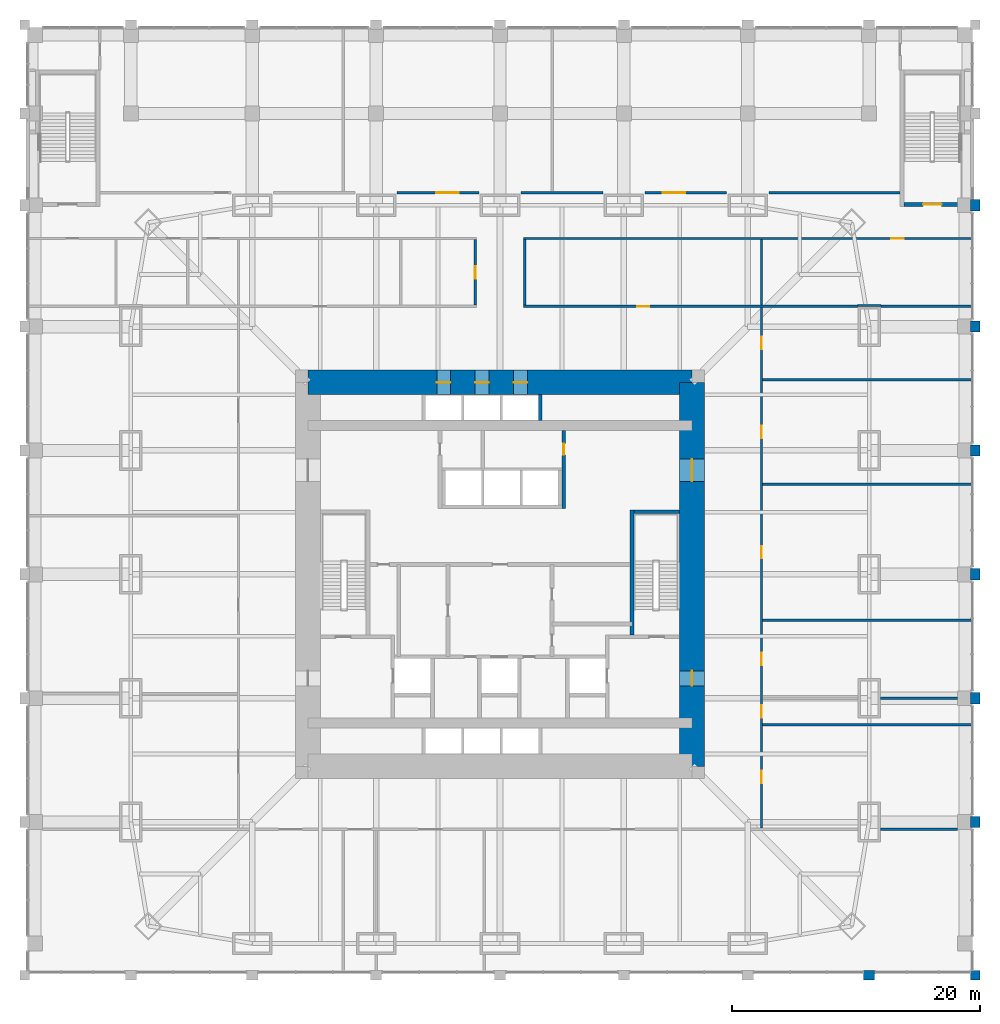
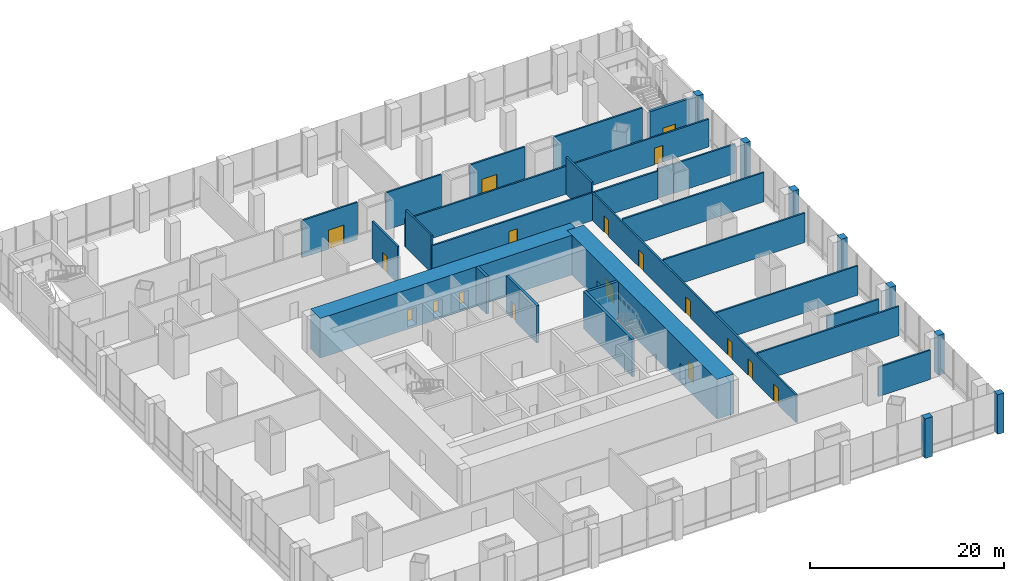
# One storey, part 19 of 24: 33 walls, 18 doors, 18 openings.
"""IFC4 building model written with IfcOpenShell, lengths in metres."""

from ifc_helpers import new_model, si_unit, direction, frame, frame_2d, origin, place, context, subcontext, project, spatial, rectangle, extrude, material, layer, layer_set, type_object, element, fill, save


model = new_model("IFC4")

# Units and contexts
model_context = context("Model", 3, precision=1e-05, world=origin(), true_north=direction((0.0, 1.0)))
body_context = subcontext(model_context, "Body", "Model", "MODEL_VIEW")
ifc_project = project(units=[si_unit("LENGTHUNIT", "METRE"), si_unit("AREAUNIT", "SQUARE_METRE"), si_unit("VOLUMEUNIT", "CUBIC_METRE"), si_unit("PLANEANGLEUNIT", "RADIAN"), si_unit("MASSUNIT", "GRAM", prefix="KILO")], contexts=[model_context])

# Site, building, storey
site_placement = place(None, origin())
site = spatial("IfcSite", under=ifc_project, at=site_placement, CompositionType="ELEMENT")
building_placement = place(site_placement, origin())
building = spatial("IfcBuilding", under=site, at=building_placement, Name="Khuree Lantern Residences", CompositionType="ELEMENT")
storey_placement = place(building_placement, frame((0.0, 0.0, 6.0)))
storey = spatial("IfcBuildingStorey", under=building, at=storey_placement, Name="L01", CompositionType="ELEMENT", Elevation=6.0)

# Wall
ifc_material_1 = material(Name="Dense concrete blockwork", Category="masonry")
ifc_layer_1 = layer(ifc_material_1, 0.300048828125)
ifc_layer_set_1 = layer_set([ifc_layer_1], Name="CORE PARTITION WALL CPW300 EI 120")
wall_type_1 = type_object("IfcWallType", Name="CORE PARTITION WALL CPW300 EI 120", PredefinedType="PARTITIONING", material=ifc_layer_set_1)
wall_1_placement = place(storey_placement, frame((3.25, 12.39990234375, 0.0), z_axis=(0.0, 0.0, 1.0), x_axis=(0.0, 1.0, 0.0)))
element("IfcWall", 1, at=wall_1_placement, inside=storey, type_object=wall_type_1, Name="L01 CORE WALL PLE", PredefinedType="PARTITIONING", context=body_context, shape_type="SweptSolid", body=[
    extrude(rectangle(XDim=2.10009765625, YDim=0.300048828125, at=frame_2d((1.050048828125, 0.0))), origin(), (0.0, 0.0, 1.0), 4.699951171875),
])

# Wall, opening, door
wall_2_placement = place(storey_placement, frame((5.14990234375, 5.300048828125, 0.0), z_axis=(0.0, 0.0, 1.0), x_axis=(0.0, 1.0, 0.0)))
wall_2 = element("IfcWall", 2, at=wall_2_placement, inside=storey, type_object=wall_type_1, Name="L01 CORE WALL NE", PredefinedType="PARTITIONING", context=body_context, shape_type="SweptSolid", body=[
    extrude(rectangle(XDim=6.300048828125, YDim=0.300048828125, at=frame_2d((3.14990234375, 0.0))), origin(), (0.0, 0.0, 1.0), 4.699951171875),
])
opening_1_placement = place(wall_2_placement, frame((4.35009765625, 0.0, 0.0)))
opening_1 = element("IfcOpeningElement", 3, at=opening_1_placement, cuts=wall_2, Name="Opening 01-021", PredefinedType="OPENING", context=body_context, shape_type="SweptSolid", body=[
    extrude(rectangle(XDim=0.89990234375, YDim=2.10009765625, at=frame_2d((0.449951171875, 1.050048828125))), frame((0.0, 0.16015625, 0.0), z_axis=(0.0, -1.0, 0.0), x_axis=(1.0, 0.0, 0.0)), (0.0, 0.0, 1.0), 0.320068359375),
])
ifc_material_2 = material(Name="Timber door leaf in hardwood frame", Category="wood")
door_type_1 = type_object("IfcDoorType", Name="DOOR 900X2100", OperationType="SINGLE_SWING_LEFT", PredefinedType="DOOR", material=ifc_material_2)
door_1_placement = place(opening_1_placement, origin())
door_1 = element("IfcDoor", 4, at=door_1_placement, inside=storey, type_object=door_type_1, Name="Maintenance store door 01-021", OperationType="SINGLE_SWING_LEFT", OverallHeight=2.10009765625, OverallWidth=0.89990234375, PredefinedType="DOOR", context=body_context, shape_type="SweptSolid", body=[
    extrude(rectangle(XDim=0.89990234375, YDim=2.10009765625, at=frame_2d((0.449951171875, 1.050048828125))), frame((0.0, 0.02490234375, 0.0), z_axis=(0.0, -1.0, 0.0), x_axis=(1.0, 0.0, 0.0)), (0.0, 0.0, 1.0), 0.050048828125),
])
fill(opening_1, door_1)

# Wall, openings, doors
ifc_material_3 = material(Name="Concrete C70/85", Category="concrete")
ifc_layer_2 = layer(ifc_material_3, 2.0)
ifc_layer_set_2 = layer_set([ifc_layer_2], Name="CW2000-C70 CORE WALL C70 2000")
wall_type_2 = type_object("IfcWallType", Name="CW2000-C70 CORE WALL C70 2000", PredefinedType="SHEAR", material=ifc_layer_set_2)
wall_3_placement = place(storey_placement, frame((15.5, -15.5, -0.300048828125), z_axis=(0.0, 0.0, 1.0), x_axis=(0.0, 1.0, 0.0)))
wall_3 = element("IfcWall", 5, at=wall_3_placement, inside=storey, type_object=wall_type_2, Name="Core wall E", PredefinedType="SHEAR", context=body_context, shape_type="SweptSolid", body=[
    extrude(rectangle(XDim=31.0, YDim=2.0, at=frame_2d((15.5, 0.0))), origin(), (0.0, 0.0, 1.0), 5.0),
])
opening_2_placement = place(wall_3_placement, frame((6.5, 0.0, 0.300048828125)))
opening_2 = element("IfcOpeningElement", 6, at=opening_2_placement, cuts=wall_3, Name="Opening 01-005", PredefinedType="OPENING", context=body_context, shape_type="SweptSolid", body=[
    extrude(rectangle(XDim=1.199951171875, YDim=2.10009765625, at=frame_2d((0.60009765625, 1.050048828125))), frame((0.0, 1.010009765625, 0.0), z_axis=(0.0, -1.0, 0.0), x_axis=(1.0, 0.0, 0.0)), (0.0, 0.0, 1.0), 2.02001953125),
])
opening_3_placement = place(wall_3_placement, frame((23.0, 0.0, 0.300048828125)))
opening_3 = element("IfcOpeningElement", 7, at=opening_3_placement, cuts=wall_3, Name="Opening 01-006", PredefinedType="OPENING", context=body_context, shape_type="SweptSolid", body=[
    extrude(rectangle(XDim=1.800048828125, YDim=2.10009765625, at=frame_2d((0.89990234375, 1.050048828125))), frame((0.0, 1.010009765625, 0.0), z_axis=(0.0, -1.0, 0.0), x_axis=(1.0, 0.0, 0.0)), (0.0, 0.0, 1.0), 2.02001953125),
])
ifc_material_4 = material(Name="Steel door leaf in steel frame", Category="steel")
door_type_2 = type_object("IfcDoorType", Name="LOBBY DOOR 1200X2100 EI 120", OperationType="SINGLE_SWING_LEFT", PredefinedType="DOOR", material=ifc_material_4)
door_2_placement = place(opening_2_placement, origin())
door_2 = element("IfcDoor", 8, at=door_2_placement, inside=storey, type_object=door_type_2, Name="Firefighting lobby door 01-005", OperationType="SINGLE_SWING_LEFT", OverallHeight=2.10009765625, OverallWidth=1.199951171875, PredefinedType="DOOR", context=body_context, shape_type="SweptSolid", body=[
    extrude(rectangle(XDim=1.199951171875, YDim=2.10009765625, at=frame_2d((0.60009765625, 1.050048828125))), frame((0.0, 0.02490234375, 0.0), z_axis=(0.0, -1.0, 0.0), x_axis=(1.0, 0.0, 0.0)), (0.0, 0.0, 1.0), 0.050048828125),
])
fill(opening_2, door_2)
door_type_3 = type_object("IfcDoorType", Name="LOBBY DOUBLE DOOR 1800X2100 EI 60", OperationType="DOUBLE_DOOR_SINGLE_SWING", PredefinedType="DOOR", material=ifc_material_4)
door_3_placement = place(opening_3_placement, origin())
door_3 = element("IfcDoor", 9, at=door_3_placement, inside=storey, type_object=door_type_3, Name="Lift lobby door 01-006", OperationType="DOUBLE_DOOR_SINGLE_SWING", OverallHeight=2.10009765625, OverallWidth=1.800048828125, PredefinedType="DOOR", context=body_context, shape_type="SweptSolid", body=[
    extrude(rectangle(XDim=1.800048828125, YDim=2.10009765625, at=frame_2d((0.89990234375, 1.050048828125))), frame((0.0, 0.02490234375, 0.0), z_axis=(0.0, -1.0, 0.0), x_axis=(1.0, 0.0, 0.0)), (0.0, 0.0, 1.0), 0.050048828125),
])
fill(opening_3, door_3)

wall_4_placement = place(storey_placement, frame((-15.5, 15.5, -0.300048828125), z_axis=(0.0, 0.0, 1.0), x_axis=(1.0, 0.0, 0.0)))
wall_4 = element("IfcWall", 10, at=wall_4_placement, inside=storey, type_object=wall_type_2, Name="Core wall N", PredefinedType="SHEAR", context=body_context, shape_type="SweptSolid", body=[
    extrude(rectangle(XDim=31.0, YDim=2.0, at=frame_2d((15.5, 0.0))), origin(), (0.0, 0.0, 1.0), 5.0),
])
opening_4_placement = place(wall_4_placement, frame((10.39990234375, 0.0, 0.300048828125)))
opening_4 = element("IfcOpeningElement", 11, at=opening_4_placement, cuts=wall_4, Name="Opening 01-009", PredefinedType="OPENING", context=body_context, shape_type="SweptSolid", body=[
    extrude(rectangle(XDim=1.10009765625, YDim=2.10009765625, at=frame_2d((0.550048828125, 1.050048828125))), frame((0.0, 1.010009765625, 0.0), z_axis=(0.0, -1.0, 0.0), x_axis=(1.0, 0.0, 0.0)), (0.0, 0.0, 1.0), 2.02001953125),
])
opening_5_placement = place(wall_4_placement, frame((13.5, 0.0, 0.300048828125)))
opening_5 = element("IfcOpeningElement", 12, at=opening_5_placement, cuts=wall_4, Name="Opening 01-010", PredefinedType="OPENING", context=body_context, shape_type="SweptSolid", body=[
    extrude(rectangle(XDim=1.10009765625, YDim=2.10009765625, at=frame_2d((0.550048828125, 1.050048828125))), frame((0.0, 1.010009765625, 0.0), z_axis=(0.0, -1.0, 0.0), x_axis=(1.0, 0.0, 0.0)), (0.0, 0.0, 1.0), 2.02001953125),
])
opening_6_placement = place(wall_4_placement, frame((16.60009765625, 0.0, 0.300048828125)))
opening_6 = element("IfcOpeningElement", 13, at=opening_6_placement, cuts=wall_4, Name="Opening 01-011", PredefinedType="OPENING", context=body_context, shape_type="SweptSolid", body=[
    extrude(rectangle(XDim=1.10009765625, YDim=2.10009765625, at=frame_2d((0.550048828125, 1.050048828125))), frame((0.0, 1.010009765625, 0.0), z_axis=(0.0, -1.0, 0.0), x_axis=(1.0, 0.0, 0.0)), (0.0, 0.0, 1.0), 2.02001953125),
])
ifc_material_5 = material(Name="Stainless steel lift landing door", Category="steel")
door_type_4 = type_object("IfcDoorType", Name="LIFT LANDING DOOR 1100X2100 E 60", OperationType="DOUBLE_DOOR_SLIDING", PredefinedType="DOOR", material=ifc_material_5)
door_4_placement = place(opening_4_placement, origin())
door_4 = element("IfcDoor", 14, at=door_4_placement, inside=storey, type_object=door_type_4, Name="Landing door PL1 01-009", OperationType="DOUBLE_DOOR_SLIDING", OverallHeight=2.10009765625, OverallWidth=1.10009765625, PredefinedType="DOOR", context=body_context, shape_type="SweptSolid", body=[
    extrude(rectangle(XDim=1.10009765625, YDim=2.10009765625, at=frame_2d((0.550048828125, 1.050048828125))), frame((0.0, 0.02490234375, 0.0), z_axis=(0.0, -1.0, 0.0), x_axis=(1.0, 0.0, 0.0)), (0.0, 0.0, 1.0), 0.050048828125),
])
fill(opening_4, door_4)
door_5_placement = place(opening_5_placement, origin())
door_5 = element("IfcDoor", 15, at=door_5_placement, inside=storey, type_object=door_type_4, Name="Landing door PL2 01-010", OperationType="DOUBLE_DOOR_SLIDING", OverallHeight=2.10009765625, OverallWidth=1.10009765625, PredefinedType="DOOR", context=body_context, shape_type="SweptSolid", body=[
    extrude(rectangle(XDim=1.10009765625, YDim=2.10009765625, at=frame_2d((0.550048828125, 1.050048828125))), frame((0.0, 0.02490234375, 0.0), z_axis=(0.0, -1.0, 0.0), x_axis=(1.0, 0.0, 0.0)), (0.0, 0.0, 1.0), 0.050048828125),
])
fill(opening_5, door_5)
door_6_placement = place(opening_6_placement, origin())
door_6 = element("IfcDoor", 16, at=door_6_placement, inside=storey, type_object=door_type_4, Name="Landing door PL3 01-011", OperationType="DOUBLE_DOOR_SLIDING", OverallHeight=2.10009765625, OverallWidth=1.10009765625, PredefinedType="DOOR", context=body_context, shape_type="SweptSolid", body=[
    extrude(rectangle(XDim=1.10009765625, YDim=2.10009765625, at=frame_2d((0.550048828125, 1.050048828125))), frame((0.0, 0.02490234375, 0.0), z_axis=(0.0, -1.0, 0.0), x_axis=(1.0, 0.0, 0.0)), (0.0, 0.0, 1.0), 0.050048828125),
])
fill(opening_6, door_6)

# Walls
ifc_material_6 = material(Name="Flamed granite cladding on blockwork", Category="masonry")
ifc_layer_3 = layer(ifc_material_6, 0.75)
ifc_layer_set_3 = layer_set([ifc_layer_3], Name="PODIUM PIER PR1 900X750")
wall_type_3 = type_object("IfcWallType", Name="PODIUM PIER PR1 900X750", PredefinedType="SOLIDWALL", material=ifc_layer_set_3)
wall_5_placement = place(storey_placement, frame((29.35009765625, -32.375, 0.0), z_axis=(0.0, 0.0, 1.0), x_axis=(1.0, 0.0, 0.0)))
element("IfcWall", 17, at=wall_5_placement, inside=storey, type_object=wall_type_3, Name="L01 SOUTH FACE PIER 7", PredefinedType="SOLIDWALL", context=body_context, shape_type="SweptSolid", body=[
    extrude(rectangle(XDim=0.89990234375, YDim=0.75, at=frame_2d((0.449951171875, 0.0))), origin(), (0.0, 0.0, 1.0), 5.0),
])
wall_6_placement = place(storey_placement, frame((38.0, -32.375, 0.0), z_axis=(0.0, 0.0, 1.0), x_axis=(1.0, 0.0, 0.0)))
element("IfcWall", 18, at=wall_6_placement, inside=storey, type_object=wall_type_3, Name="L01 SOUTH FACE PIER 8", PredefinedType="SOLIDWALL", context=body_context, shape_type="SweptSolid", body=[
    extrude(rectangle(XDim=0.75, YDim=0.75, at=frame_2d((0.375, 0.0))), origin(), (0.0, 0.0, 1.0), 5.0),
])
for number, where, z_axis, x_axis, name in (
    (19, (38.375, -20.449951171875, 0.0), (0.0, 0.0, 1.0), (0.0, 1.0, 0.0), "L01 EAST FACE PIER 1"),
    (20, (38.375, -10.449951171875, 0.0), (0.0, 0.0, 1.0), (0.0, 1.0, 0.0), "L01 EAST FACE PIER 2"),
    (21, (38.375, -0.449951171875, 0.0), (0.0, 0.0, 1.0), (0.0, 1.0, 0.0), "L01 EAST FACE PIER 3"),
    (22, (38.375, 9.550048828125, 0.0), (0.0, 0.0, 1.0), (0.0, 1.0, 0.0), "L01 EAST FACE PIER 4"),
    (23, (38.375, 19.550048828125, 0.0), (0.0, 0.0, 1.0), (0.0, 1.0, 0.0), "L01 EAST FACE PIER 5"),
    (24, (38.375, 29.35009765625, 0.0), (0.0, 0.0, 1.0), (0.0, 1.0, 0.0), "L01 EAST FACE PIER 6"),
):
    element("IfcWall", number, at=place(storey_placement, frame(where, z_axis=z_axis, x_axis=x_axis)), inside=storey, type_object=wall_type_3, Name=name, PredefinedType="SOLIDWALL", context=body_context, shape_type="SweptSolid", body=[
        extrude(rectangle(XDim=0.89990234375, YDim=0.75, at=frame_2d((0.449951171875, 0.0))), origin(), (0.0, 0.0, 1.0), 5.0),
    ])
ifc_layer_4 = layer(ifc_material_1, 0.199951171875)
ifc_layer_set_4 = layer_set([ifc_layer_4], Name="ROOM WALL RMW200")
wall_type_4 = type_object("IfcWallType", Name="ROOM WALL RMW200", PredefinedType="SOLIDWALL", material=ifc_layer_set_4)
wall_7_placement = place(storey_placement, frame((30.72998046875, -20.591064453125, 0.0), z_axis=(0.0, 0.0, 1.0), x_axis=(1.0, 0.0, 0.0)))
element("IfcWall", 25, at=wall_7_placement, inside=storey, type_object=wall_type_4, Name="L01 ROOM WALL 8", PredefinedType="SOLIDWALL", context=body_context, shape_type="SweptSolid", body=[
    extrude(rectangle(XDim=6.18994140625, YDim=0.199951171875, at=frame_2d((3.094970703125, 0.0))), origin(), (0.0, 0.0, 1.0), 3.699951171875),
])

# Wall, openings, doors
wall_8_placement = place(storey_placement, frame((21.111083984375, -20.490966796875, 0.0), z_axis=(0.0, 0.0, 1.0), x_axis=(0.0, 1.0, 0.0)))
wall_8 = element("IfcWall", 26, at=wall_8_placement, inside=storey, type_object=wall_type_4, Name="L01 ROOM WALL 10", PredefinedType="SOLIDWALL", context=body_context, shape_type="SweptSolid", body=[
    extrude(rectangle(XDim=42.02197265625, YDim=0.199951171875, at=frame_2d((21.010986328125, 0.0))), origin(), (0.0, 0.0, 1.0), 3.5),
])
opening_7_placement = place(wall_8_placement, frame((3.62255859375, 0.0, 0.0)))
opening_7 = element("IfcOpeningElement", 27, at=opening_7_placement, cuts=wall_8, Name="Opening 01-030", PredefinedType="OPENING", context=body_context, shape_type="SweptSolid", body=[
    extrude(rectangle(XDim=1.0, YDim=2.10009765625, at=frame_2d((0.5, 1.050048828125))), frame((0.0, 0.10986328125, 0.0), z_axis=(0.0, -1.0, 0.0), x_axis=(1.0, 0.0, 0.0)), (0.0, 0.0, 1.0), 0.219970703125),
])
opening_8_placement = place(wall_8_placement, frame((13.139892578125, 0.0, 0.0)))
opening_8 = element("IfcOpeningElement", 28, at=opening_8_placement, cuts=wall_8, Name="Opening 01-031", PredefinedType="OPENING", context=body_context, shape_type="SweptSolid", body=[
    extrude(rectangle(XDim=1.0, YDim=2.10009765625, at=frame_2d((0.5, 1.050048828125))), frame((0.0, 0.10986328125, 0.0), z_axis=(0.0, -1.0, 0.0), x_axis=(1.0, 0.0, 0.0)), (0.0, 0.0, 1.0), 0.219970703125),
])
opening_9_placement = place(wall_8_placement, frame((21.7685546875, 0.0, 0.0)))
opening_9 = element("IfcOpeningElement", 29, at=opening_9_placement, cuts=wall_8, Name="Opening 01-032", PredefinedType="OPENING", context=body_context, shape_type="SweptSolid", body=[
    extrude(rectangle(XDim=1.0, YDim=2.10009765625, at=frame_2d((0.5, 1.050048828125))), frame((0.0, 0.10986328125, 0.0), z_axis=(0.0, -1.0, 0.0), x_axis=(1.0, 0.0, 0.0)), (0.0, 0.0, 1.0), 0.219970703125),
])
opening_10_placement = place(wall_8_placement, frame((31.470458984375, 0.0, 0.0)))
opening_10 = element("IfcOpeningElement", 30, at=opening_10_placement, cuts=wall_8, Name="Opening 01-033", PredefinedType="OPENING", context=body_context, shape_type="SweptSolid", body=[
    extrude(rectangle(XDim=1.0, YDim=2.10009765625, at=frame_2d((0.5, 1.050048828125))), frame((0.0, 0.10986328125, 0.0), z_axis=(0.0, -1.0, 0.0), x_axis=(1.0, 0.0, 0.0)), (0.0, 0.0, 1.0), 0.219970703125),
])
opening_11_placement = place(wall_8_placement, frame((38.657470703125, 0.0, 0.0)))
opening_11 = element("IfcOpeningElement", 31, at=opening_11_placement, cuts=wall_8, Name="Opening 01-034", PredefinedType="OPENING", context=body_context, shape_type="SweptSolid", body=[
    extrude(rectangle(XDim=1.0, YDim=2.10009765625, at=frame_2d((0.5, 1.050048828125))), frame((0.0, 0.10986328125, 0.0), z_axis=(0.0, -1.0, 0.0), x_axis=(1.0, 0.0, 0.0)), (0.0, 0.0, 1.0), 0.219970703125),
])
opening_12_placement = place(wall_8_placement, frame((8.91796875, 0.0, 0.0)))
opening_12 = element("IfcOpeningElement", 32, at=opening_12_placement, cuts=wall_8, Name="Opening 01-048", PredefinedType="OPENING", context=body_context, shape_type="SweptSolid", body=[
    extrude(rectangle(XDim=1.0, YDim=2.10009765625, at=frame_2d((0.5, 1.050048828125))), frame((0.0, 0.10986328125, 0.0), z_axis=(0.0, -1.0, 0.0), x_axis=(1.0, 0.0, 0.0)), (0.0, 0.0, 1.0), 0.219970703125),
])
door_type_5 = type_object("IfcDoorType", Name="DOOR 1000X2100", OperationType="SINGLE_SWING_LEFT", PredefinedType="DOOR", material=ifc_material_2)
door_7_placement = place(opening_7_placement, origin())
door_7 = element("IfcDoor", 33, at=door_7_placement, inside=storey, type_object=door_type_5, Name="Parcel room door 01-030", OperationType="SINGLE_SWING_LEFT", OverallHeight=2.10009765625, OverallWidth=1.0, PredefinedType="DOOR", context=body_context, shape_type="SweptSolid", body=[
    extrude(rectangle(XDim=1.0, YDim=2.10009765625, at=frame_2d((0.5, 1.050048828125))), frame((0.0, 0.02490234375, 0.0), z_axis=(0.0, -1.0, 0.0), x_axis=(1.0, 0.0, 0.0)), (0.0, 0.0, 1.0), 0.050048828125),
])
fill(opening_7, door_7)
door_8_placement = place(opening_8_placement, origin())
door_8 = element("IfcDoor", 34, at=door_8_placement, inside=storey, type_object=door_type_5, Name="Leasing office door 01-031", OperationType="SINGLE_SWING_LEFT", OverallHeight=2.10009765625, OverallWidth=1.0, PredefinedType="DOOR", context=body_context, shape_type="SweptSolid", body=[
    extrude(rectangle(XDim=1.0, YDim=2.10009765625, at=frame_2d((0.5, 1.050048828125))), frame((0.0, 0.02490234375, 0.0), z_axis=(0.0, -1.0, 0.0), x_axis=(1.0, 0.0, 0.0)), (0.0, 0.0, 1.0), 0.050048828125),
])
fill(opening_8, door_8)
door_9_placement = place(opening_9_placement, origin())
door_9 = element("IfcDoor", 35, at=door_9_placement, inside=storey, type_object=door_type_5, Name="Study room door 01-032", OperationType="SINGLE_SWING_LEFT", OverallHeight=2.10009765625, OverallWidth=1.0, PredefinedType="DOOR", context=body_context, shape_type="SweptSolid", body=[
    extrude(rectangle(XDim=1.0, YDim=2.10009765625, at=frame_2d((0.5, 1.050048828125))), frame((0.0, 0.02490234375, 0.0), z_axis=(0.0, -1.0, 0.0), x_axis=(1.0, 0.0, 0.0)), (0.0, 0.0, 1.0), 0.050048828125),
])
fill(opening_9, door_9)
door_10_placement = place(opening_10_placement, origin())
door_10 = element("IfcDoor", 36, at=door_10_placement, inside=storey, type_object=door_type_5, Name="Craft room door 01-033", OperationType="SINGLE_SWING_LEFT", OverallHeight=2.10009765625, OverallWidth=1.0, PredefinedType="DOOR", context=body_context, shape_type="SweptSolid", body=[
    extrude(rectangle(XDim=1.0, YDim=2.10009765625, at=frame_2d((0.5, 1.050048828125))), frame((0.0, 0.02490234375, 0.0), z_axis=(0.0, -1.0, 0.0), x_axis=(1.0, 0.0, 0.0)), (0.0, 0.0, 1.0), 0.050048828125),
])
fill(opening_10, door_10)
door_11_placement = place(opening_12_placement, origin())
door_11 = element("IfcDoor", 37, at=door_11_placement, inside=storey, type_object=door_type_5, Name="Leasing file store door 01-048", OperationType="SINGLE_SWING_LEFT", OverallHeight=2.10009765625, OverallWidth=1.0, PredefinedType="DOOR", context=body_context, shape_type="SweptSolid", body=[
    extrude(rectangle(XDim=1.0, YDim=2.10009765625, at=frame_2d((0.5, 1.050048828125))), frame((0.0, 0.02490234375, 0.0), z_axis=(0.0, -1.0, 0.0), x_axis=(1.0, 0.0, 0.0)), (0.0, 0.0, 1.0), 0.050048828125),
])
fill(opening_12, door_11)
door_type_6 = type_object("IfcDoorType", Name="DOOR 1000X2100 RIGHT HAND", OperationType="SINGLE_SWING_RIGHT", PredefinedType="DOOR", material=ifc_material_2)
door_12_placement = place(opening_11_placement, origin())
door_12 = element("IfcDoor", 38, at=door_12_placement, inside=storey, type_object=door_type_6, Name="Kids club door 01-034", OperationType="SINGLE_SWING_RIGHT", OverallHeight=2.10009765625, OverallWidth=1.0, PredefinedType="DOOR", context=body_context, shape_type="SweptSolid", body=[
    extrude(rectangle(XDim=1.0, YDim=2.10009765625, at=frame_2d((0.5, 1.050048828125))), frame((0.0, 0.02490234375, 0.0), z_axis=(0.0, -1.0, 0.0), x_axis=(1.0, 0.0, 0.0)), (0.0, 0.0, 1.0), 0.050048828125),
])
fill(opening_11, door_12)

# Walls
wall_9_placement = place(storey_placement, frame((21.2109375, -12.14599609375, 0.0), z_axis=(0.0, 0.0, 1.0), x_axis=(1.0, 0.0, 0.0)))
element("IfcWall", 39, at=wall_9_placement, inside=storey, type_object=wall_type_4, Name="L01 ROOM WALL 11", PredefinedType="SOLIDWALL", context=body_context, shape_type="SweptSolid", body=[
    extrude(rectangle(XDim=16.864013671875, YDim=0.199951171875, at=frame_2d((8.43212890625, 0.0))), origin(), (0.0, 0.0, 1.0), 3.699951171875),
])
wall_10_placement = place(storey_placement, frame((30.72998046875, -10.0, 0.0), z_axis=(0.0, 0.0, 1.0), x_axis=(1.0, 0.0, 0.0)))
element("IfcWall", 40, at=wall_10_placement, inside=storey, type_object=wall_type_4, Name="L01 ROOM WALL 13", PredefinedType="SOLIDWALL", context=body_context, shape_type="SweptSolid", body=[
    extrude(rectangle(XDim=6.18994140625, YDim=0.199951171875, at=frame_2d((3.094970703125, 0.0))), origin(), (0.0, 0.0, 1.0), 3.699951171875),
])
for number, where, z_axis, x_axis, name in (
    (41, (21.2109375, -3.701904296875, 0.0), (0.0, 0.0, 1.0), (1.0, 0.0, 0.0), "L01 ROOM WALL 16"),
    (42, (21.2109375, 7.257080078125, 0.0), (0.0, 0.0, 1.0), (1.0, 0.0, 0.0), "L01 ROOM WALL 18"),
    (43, (21.2109375, 15.701904296875, 0.0), (0.0, 0.0, 1.0), (1.0, 0.0, 0.0), "L01 ROOM WALL 19"),
):
    element("IfcWall", number, at=place(storey_placement, frame(where, z_axis=z_axis, x_axis=x_axis)), inside=storey, type_object=wall_type_4, Name=name, PredefinedType="SOLIDWALL", context=body_context, shape_type="SweptSolid", body=[
        extrude(rectangle(XDim=16.864013671875, YDim=0.199951171875, at=frame_2d((8.43212890625, 0.0))), origin(), (0.0, 0.0, 1.0), 3.699951171875),
    ])

# Wall, opening, door
wall_11_placement = place(storey_placement, frame((1.89990234375, 21.631103515625, 0.0), z_axis=(0.0, 0.0, 1.0), x_axis=(1.0, 0.0, 0.0)))
wall_11 = element("IfcWall", 44, at=wall_11_placement, inside=storey, type_object=wall_type_4, Name="L01 ROOM WALL 22", PredefinedType="SOLIDWALL", context=body_context, shape_type="SweptSolid", body=[
    extrude(rectangle(XDim=26.9501953125, YDim=0.199951171875, at=frame_2d((13.47509765625, 0.0))), origin(), (0.0, 0.0, 1.0), 3.5),
])
opening_13_placement = place(wall_11_placement, frame((9.16552734375, 0.0, 0.0)))
opening_13 = element("IfcOpeningElement", 45, at=opening_13_placement, cuts=wall_11, Name="Opening 01-041", PredefinedType="OPENING", context=body_context, shape_type="SweptSolid", body=[
    extrude(rectangle(XDim=1.0, YDim=2.10009765625, at=frame_2d((0.5, 1.050048828125))), frame((0.0, 0.10986328125, 0.0), z_axis=(0.0, -1.0, 0.0), x_axis=(1.0, 0.0, 0.0)), (0.0, 0.0, 1.0), 0.219970703125),
])
door_13_placement = place(opening_13_placement, origin())
door_13 = element("IfcDoor", 46, at=door_13_placement, inside=storey, type_object=door_type_5, Name="Creche door 01-041", OperationType="SINGLE_SWING_LEFT", OverallHeight=2.10009765625, OverallWidth=1.0, PredefinedType="DOOR", context=body_context, shape_type="SweptSolid", body=[
    extrude(rectangle(XDim=1.0, YDim=2.10009765625, at=frame_2d((0.5, 1.050048828125))), frame((0.0, 0.02490234375, 0.0), z_axis=(0.0, -1.0, 0.0), x_axis=(1.0, 0.0, 0.0)), (0.0, 0.0, 1.0), 0.050048828125),
])
fill(opening_13, door_13)

# Walls
wall_12_placement = place(storey_placement, frame((30.75, 21.631103515625, 0.0), z_axis=(0.0, 0.0, 1.0), x_axis=(1.0, 0.0, 0.0)))
element("IfcWall", 47, at=wall_12_placement, inside=storey, type_object=wall_type_4, Name="L01 ROOM WALL 23", PredefinedType="SOLIDWALL", context=body_context, shape_type="SweptSolid", body=[
    extrude(rectangle(XDim=7.324951171875, YDim=0.199951171875, at=frame_2d((3.66259765625, 0.0))), origin(), (0.0, 0.0, 1.0), 3.699951171875),
])
wall_13_placement = place(storey_placement, frame((28.85009765625, 21.701904296875, 0.0), z_axis=(0.0, 0.0, 1.0), x_axis=(1.0, 0.0, 0.0)))
element("IfcWall", 48, at=wall_13_placement, inside=storey, type_object=wall_type_4, Name="L01 ROOM WALL 25", PredefinedType="SOLIDWALL", context=body_context, shape_type="SweptSolid", body=[
    extrude(rectangle(XDim=1.89990234375, YDim=0.199951171875, at=frame_2d((0.949951171875, 0.0))), origin(), (0.0, 0.0, 1.0), 3.699951171875),
])

# Wall, opening, door
wall_14_placement = place(storey_placement, frame((-2.0, 21.73095703125, 0.0), z_axis=(0.0, 0.0, 1.0), x_axis=(0.0, 1.0, 0.0)))
wall_14 = element("IfcWall", 49, at=wall_14_placement, inside=storey, type_object=wall_type_4, Name="L01 ROOM WALL 30", PredefinedType="SOLIDWALL", context=body_context, shape_type="SweptSolid", body=[
    extrude(rectangle(XDim=5.280029296875, YDim=0.199951171875, at=frame_2d((2.64013671875, 0.0))), origin(), (0.0, 0.0, 1.0), 4.699951171875),
])
opening_14_placement = place(wall_14_placement, frame((2.14990234375, 0.0, 0.0)))
opening_14 = element("IfcOpeningElement", 50, at=opening_14_placement, cuts=wall_14, Name="Opening 01-040", PredefinedType="OPENING", context=body_context, shape_type="SweptSolid", body=[
    extrude(rectangle(XDim=1.0, YDim=2.10009765625, at=frame_2d((0.5, 1.050048828125))), frame((0.0, 0.10986328125, 0.0), z_axis=(0.0, -1.0, 0.0), x_axis=(1.0, 0.0, 0.0)), (0.0, 0.0, 1.0), 0.219970703125),
])
door_14_placement = place(opening_14_placement, origin())
door_14 = element("IfcDoor", 51, at=door_14_placement, inside=storey, type_object=door_type_5, Name="Focus room door 01-040", OperationType="SINGLE_SWING_LEFT", OverallHeight=2.10009765625, OverallWidth=1.0, PredefinedType="DOOR", context=body_context, shape_type="SweptSolid", body=[
    extrude(rectangle(XDim=1.0, YDim=2.10009765625, at=frame_2d((0.5, 1.050048828125))), frame((0.0, 0.02490234375, 0.0), z_axis=(0.0, -1.0, 0.0), x_axis=(1.0, 0.0, 0.0)), (0.0, 0.0, 1.0), 0.050048828125),
])
fill(opening_14, door_14)

# Walls
for number, where, z_axis, x_axis, name in (
    (52, (2.0, 21.73095703125, 0.0), (0.0, 0.0, 1.0), (0.0, 1.0, 0.0), "L01 ROOM WALL 31"),
    (53, (21.111083984375, 21.73095703125, 0.0), (0.0, 0.0, 1.0), (0.0, 1.0, 0.0), "L01 ROOM WALL 32"),
):
    element("IfcWall", number, at=place(storey_placement, frame(where, z_axis=z_axis, x_axis=x_axis)), inside=storey, type_object=wall_type_4, Name=name, PredefinedType="SOLIDWALL", context=body_context, shape_type="SweptSolid", body=[
        extrude(rectangle(XDim=5.280029296875, YDim=0.199951171875, at=frame_2d((2.64013671875, 0.0))), origin(), (0.0, 0.0, 1.0), 4.699951171875),
    ])

# Wall, opening, door
wall_15_placement = place(storey_placement, frame((1.89990234375, 27.111083984375, 0.0), z_axis=(0.0, 0.0, 1.0), x_axis=(1.0, 0.0, 0.0)))
wall_15 = element("IfcWall", 54, at=wall_15_placement, inside=storey, type_object=wall_type_4, Name="L01 ROOM WALL 34", PredefinedType="SOLIDWALL", context=body_context, shape_type="SweptSolid", body=[
    extrude(rectangle(XDim=36.175048828125, YDim=0.199951171875, at=frame_2d((18.08740234375, 0.0))), origin(), (0.0, 0.0, 1.0), 3.5),
])
opening_15_placement = place(wall_15_placement, frame((29.69482421875, 0.0, 0.0)))
opening_15 = element("IfcOpeningElement", 55, at=opening_15_placement, cuts=wall_15, Name="Opening 01-038", PredefinedType="OPENING", context=body_context, shape_type="SweptSolid", body=[
    extrude(rectangle(XDim=1.0, YDim=2.10009765625, at=frame_2d((0.5, 1.050048828125))), frame((0.0, 0.10986328125, 0.0), z_axis=(0.0, -1.0, 0.0), x_axis=(1.0, 0.0, 0.0)), (0.0, 0.0, 1.0), 0.219970703125),
])
door_15_placement = place(opening_15_placement, origin())
door_15 = element("IfcDoor", 56, at=door_15_placement, inside=storey, type_object=door_type_5, Name="Print room door 01-038", OperationType="SINGLE_SWING_LEFT", OverallHeight=2.10009765625, OverallWidth=1.0, PredefinedType="DOOR", context=body_context, shape_type="SweptSolid", body=[
    extrude(rectangle(XDim=1.0, YDim=2.10009765625, at=frame_2d((0.5, 1.050048828125))), frame((0.0, 0.02490234375, 0.0), z_axis=(0.0, -1.0, 0.0), x_axis=(1.0, 0.0, 0.0)), (0.0, 0.0, 1.0), 0.050048828125),
])
fill(opening_15, door_15)

wall_16_placement = place(storey_placement, frame((-8.2998046875, 30.800048828125, 0.0), z_axis=(0.0, 0.0, 1.0), x_axis=(1.0, 0.0, 0.0)))
wall_16 = element("IfcWall", 57, at=wall_16_placement, inside=storey, type_object=wall_type_4, Name="L01 ROOM WALL 37", PredefinedType="SOLIDWALL", context=body_context, shape_type="SweptSolid", body=[
    extrude(rectangle(XDim=6.599609375, YDim=0.199951171875, at=frame_2d((3.2998046875, 0.0))), origin(), (0.0, 0.0, 1.0), 4.699951171875),
])
opening_16_placement = place(wall_16_placement, frame((3.16748046875, 0.0, 0.0)))
opening_16 = element("IfcOpeningElement", 58, at=opening_16_placement, cuts=wall_16, Name="Opening 01-044", PredefinedType="OPENING", context=body_context, shape_type="SweptSolid", body=[
    extrude(rectangle(XDim=1.800048828125, YDim=2.39990234375, at=frame_2d((0.89990234375, 1.199951171875))), frame((0.0, 0.10986328125, 0.0), z_axis=(0.0, -1.0, 0.0), x_axis=(1.0, 0.0, 0.0)), (0.0, 0.0, 1.0), 0.219970703125),
])
door_type_7 = type_object("IfcDoorType", Name="DOUBLE DOOR 1800X2400", OperationType="DOUBLE_DOOR_SINGLE_SWING", PredefinedType="DOOR", material=ifc_material_2)
door_16_placement = place(opening_16_placement, origin())
door_16 = element("IfcDoor", 59, at=door_16_placement, inside=storey, type_object=door_type_7, Name="Reading room door 01-044", OperationType="DOUBLE_DOOR_SINGLE_SWING", OverallHeight=2.39990234375, OverallWidth=1.800048828125, PredefinedType="DOOR", context=body_context, shape_type="SweptSolid", body=[
    extrude(rectangle(XDim=1.800048828125, YDim=2.39990234375, at=frame_2d((0.89990234375, 1.199951171875))), frame((0.0, 0.02490234375, 0.0), z_axis=(0.0, -1.0, 0.0), x_axis=(1.0, 0.0, 0.0)), (0.0, 0.0, 1.0), 0.050048828125),
])
fill(opening_16, door_16)

# Wall
wall_17_placement = place(storey_placement, frame((1.7001953125, 30.800048828125, 0.0), z_axis=(0.0, 0.0, 1.0), x_axis=(1.0, 0.0, 0.0)))
element("IfcWall", 60, at=wall_17_placement, inside=storey, type_object=wall_type_4, Name="L01 ROOM WALL 38", PredefinedType="SOLIDWALL", context=body_context, shape_type="SweptSolid", body=[
    extrude(rectangle(XDim=6.599609375, YDim=0.199951171875, at=frame_2d((3.2998046875, 0.0))), origin(), (0.0, 0.0, 1.0), 4.699951171875),
])

# Wall, opening, door
wall_18_placement = place(storey_placement, frame((11.7001953125, 30.800048828125, 0.0), z_axis=(0.0, 0.0, 1.0), x_axis=(1.0, 0.0, 0.0)))
wall_18 = element("IfcWall", 61, at=wall_18_placement, inside=storey, type_object=wall_type_4, Name="L01 ROOM WALL 39", PredefinedType="SOLIDWALL", context=body_context, shape_type="SweptSolid", body=[
    extrude(rectangle(XDim=6.599609375, YDim=0.199951171875, at=frame_2d((3.2998046875, 0.0))), origin(), (0.0, 0.0, 1.0), 4.699951171875),
])
opening_17_placement = place(wall_18_placement, frame((1.436279296875, 0.0, 0.0)))
opening_17 = element("IfcOpeningElement", 62, at=opening_17_placement, cuts=wall_18, Name="Opening 01-045", PredefinedType="OPENING", context=body_context, shape_type="SweptSolid", body=[
    extrude(rectangle(XDim=1.800048828125, YDim=2.39990234375, at=frame_2d((0.89990234375, 1.199951171875))), frame((0.0, 0.10986328125, 0.0), z_axis=(0.0, -1.0, 0.0), x_axis=(1.0, 0.0, 0.0)), (0.0, 0.0, 1.0), 0.219970703125),
])
door_17_placement = place(opening_17_placement, origin())
door_17 = element("IfcDoor", 63, at=door_17_placement, inside=storey, type_object=door_type_7, Name="Co-working office door 01-045", OperationType="DOUBLE_DOOR_SINGLE_SWING", OverallHeight=2.39990234375, OverallWidth=1.800048828125, PredefinedType="DOOR", context=body_context, shape_type="SweptSolid", body=[
    extrude(rectangle(XDim=1.800048828125, YDim=2.39990234375, at=frame_2d((0.89990234375, 1.199951171875))), frame((0.0, 0.02490234375, 0.0), z_axis=(0.0, -1.0, 0.0), x_axis=(1.0, 0.0, 0.0)), (0.0, 0.0, 1.0), 0.050048828125),
])
fill(opening_17, door_17)

# Walls
wall_19_placement = place(storey_placement, frame((21.7001953125, 30.800048828125, 0.0), z_axis=(0.0, 0.0, 1.0), x_axis=(1.0, 0.0, 0.0)))
element("IfcWall", 64, at=wall_19_placement, inside=storey, type_object=wall_type_4, Name="L01 ROOM WALL 40", PredefinedType="SOLIDWALL", context=body_context, shape_type="SweptSolid", body=[
    extrude(rectangle(XDim=10.579833984375, YDim=0.199951171875, at=frame_2d((5.2900390625, 0.0))), origin(), (0.0, 0.0, 1.0), 4.699951171875),
])
ifc_material_7 = material(Name="Concrete C50/60", Category="concrete")
ifc_layer_5 = layer(ifc_material_7, 0.300048828125)
ifc_layer_set_5 = layer_set([ifc_layer_5], Name="STAIR WALL SRW300 C50/60 REI 240")
wall_type_5 = type_object("IfcWallType", Name="STAIR WALL SRW300 C50/60 REI 240", PredefinedType="SOLIDWALL", material=ifc_layer_set_5)
wall_20_placement = place(storey_placement, frame((10.64990234375, -4.89990234375, 0.0), z_axis=(0.0, 0.0, 1.0), x_axis=(0.0, 1.0, 0.0)))
element("IfcWall", 65, at=wall_20_placement, inside=storey, type_object=wall_type_5, Name="L01 STAIR WALL ST2E", PredefinedType="SOLIDWALL", context=body_context, shape_type="SweptSolid", body=[
    extrude(rectangle(XDim=10.099853515625, YDim=0.300048828125, at=frame_2d((5.0498046875, 0.0))), origin(), (0.0, 0.0, 1.0), 4.699951171875),
])
wall_21_placement = place(storey_placement, frame((14.5, 5.050048828125, 0.0), z_axis=(0.0, 0.0, 1.0), x_axis=(-1.0, 0.0, 0.0)))
element("IfcWall", 66, at=wall_21_placement, inside=storey, type_object=wall_type_5, Name="L01 STAIR WALL ST2N", PredefinedType="SOLIDWALL", context=body_context, shape_type="SweptSolid", body=[
    extrude(rectangle(XDim=3.699951171875, YDim=0.300048828125, at=frame_2d((1.85009765625, 0.0))), origin(), (0.0, 0.0, 1.0), 4.699951171875),
])

# Wall, opening, door
wall_22_placement = place(storey_placement, frame((38.0, 29.85009765625, 0.0), z_axis=(0.0, 0.0, 1.0), x_axis=(-1.0, 0.0, 0.0)))
wall_22 = element("IfcWall", 67, at=wall_22_placement, inside=storey, type_object=wall_type_5, Name="L01 STAIR ST4 WALL S", PredefinedType="SOLIDWALL", context=body_context, shape_type="SweptSolid", body=[
    extrude(rectangle(XDim=5.39990234375, YDim=0.300048828125, at=frame_2d((2.699951171875, 0.0))), origin(), (0.0, 0.0, 1.0), 4.699951171875),
])
opening_18_placement = place(wall_22_placement, frame((2.35009765625, 0.0, 0.0)))
opening_18 = element("IfcOpeningElement", 68, at=opening_18_placement, cuts=wall_22, Name="Opening 01-023", PredefinedType="OPENING", context=body_context, shape_type="SweptSolid", body=[
    extrude(rectangle(XDim=1.5, YDim=2.10009765625, at=frame_2d((0.75, 1.050048828125))), frame((0.0, 0.16015625, 0.0), z_axis=(0.0, -1.0, 0.0), x_axis=(1.0, 0.0, 0.0)), (0.0, 0.0, 1.0), 0.320068359375),
])
door_type_8 = type_object("IfcDoorType", Name="STAIR DOOR 1500X2100 EI 120", OperationType="DOUBLE_DOOR_SINGLE_SWING", PredefinedType="DOOR", material=ifc_material_4)
door_18_placement = place(opening_18_placement, origin())
door_18 = element("IfcDoor", 69, at=door_18_placement, inside=storey, type_object=door_type_8, Name="Stair ST4 door 01-023", OperationType="DOUBLE_DOOR_SINGLE_SWING", OverallHeight=2.10009765625, OverallWidth=1.5, PredefinedType="DOOR", context=body_context, shape_type="SweptSolid", body=[
    extrude(rectangle(XDim=1.5, YDim=2.10009765625, at=frame_2d((0.75, 1.050048828125))), frame((0.0, 0.02490234375, 0.0), z_axis=(0.0, -1.0, 0.0), x_axis=(1.0, 0.0, 0.0)), (0.0, 0.0, 1.0), 0.050048828125),
])
fill(opening_18, door_18)

save(model, "model.ifc")
